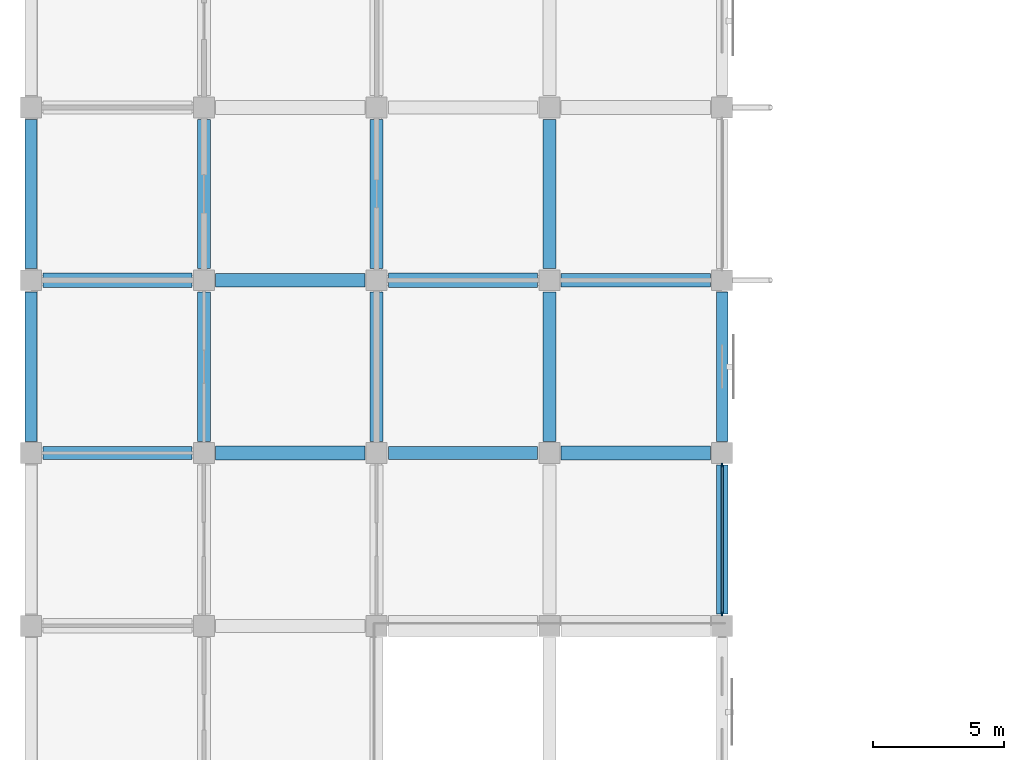
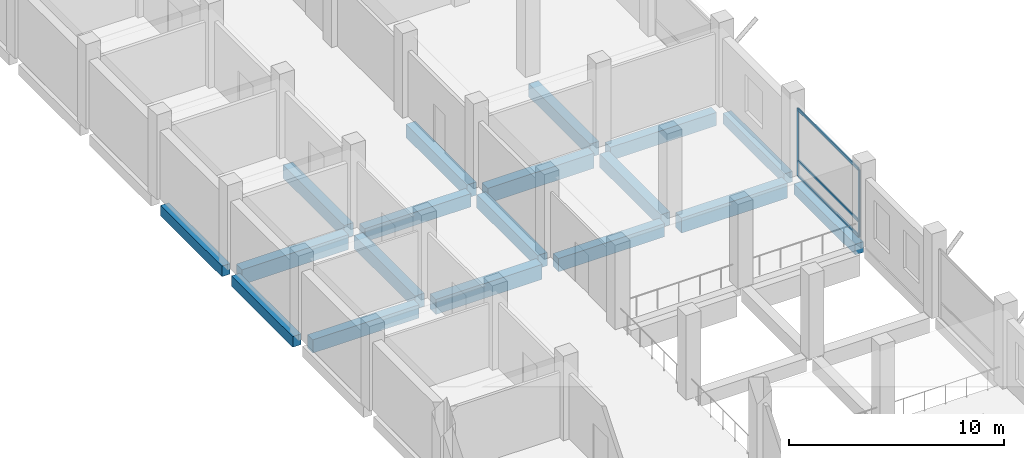
# One storey, part 11 of 34: 18 beams, 5 members, 1 element without a shape of its own.
"""IFC4 building model written with IfcOpenShell, lengths in metres."""

from ifc_helpers import new_model, si_unit, direction, frame, origin, origin_2d, place, context, subcontext, project, spatial, rectangle, extrude, material, material_profile, profile_set, type_object, element, aggregate, save


model = new_model("IFC4")

# Units and contexts
model_context = context("Model", 3, precision=1e-05, world=origin(), true_north=direction((0.0, 1.0)))
body_context = subcontext(model_context, "Body", "Model", "MODEL_VIEW")
ifc_project = project(units=[si_unit("LENGTHUNIT", "METRE"), si_unit("AREAUNIT", "SQUARE_METRE"), si_unit("VOLUMEUNIT", "CUBIC_METRE"), si_unit("PLANEANGLEUNIT", "RADIAN"), si_unit("MASSUNIT", "GRAM", prefix="KILO")], contexts=[model_context])

# Site, building, storey
site_placement = place(None, origin())
site = spatial("IfcSite", under=ifc_project, at=site_placement, CompositionType="ELEMENT")
building_placement = place(site_placement, origin())
building = spatial("IfcBuilding", under=site, at=building_placement, Name="Rusizi Kubbe Research Institute", CompositionType="ELEMENT")
storey_placement = place(building_placement, frame((0.0, 0.0, 5.39990234375)))
storey = spatial("IfcBuildingStorey", under=building, at=storey_placement, Name="L01", CompositionType="ELEMENT", Elevation=5.39990234375)

# Beams
ifc_material_1 = material(Name="Concrete C40/50", Category="concrete")
ifc_material_profile_1 = material_profile(ifc_material_1, rectangle(XDim=0.449951171875, YDim=0.60009765625, at=origin_2d()), Name="RC450x600")
ifc_profile_set_1 = profile_set([ifc_material_profile_1], Name="Concrete C40/50")
beam_type_1 = type_object("IfcBeamType", Name="BM-RC450x600", PredefinedType="SPANDREL", material=ifc_profile_set_1)
for number, where, z_axis, x_axis, name in (
    (1, (0.0, 99.449951171875, -0.64990234375), (0.0, 1.0, 0.0), (-1.0, 0.0, 0.0), "Grid Beam V L01 (0,15)"),
    (2, (0.0, 106.050048828125, -0.64990234375), (0.0, 1.0, 0.0), (-1.0, 0.0, 0.0), "Grid Beam V L01 (0,16)"),
    (3, (26.39990234375, 92.85009765625, -0.64990234375), (0.0, 1.0, 0.0), (-1.0, 0.0, 0.0), "Grid Beam V L01 (4,14)"),
    (4, (26.39990234375, 99.449951171875, -0.64990234375), (0.0, 1.0, 0.0), (-1.0, 0.0, 0.0), "Grid Beam V L01 (4,15)"),
):
    element("IfcBeam", number, at=place(storey_placement, frame(where, z_axis=z_axis, x_axis=x_axis)), inside=storey, type_object=beam_type_1, Name=name, PredefinedType="SPANDREL", context=body_context, shape_type="SweptSolid", body=[
        extrude(rectangle(XDim=0.449951171875, YDim=0.60009765625, at=origin_2d()), origin(), (0.0, 0.0, 1.0), 5.699951171875),
    ])
ifc_material_2 = material(Name="Concrete C45/55", Category="concrete")
ifc_material_profile_2 = material_profile(ifc_material_2, rectangle(XDim=0.5, YDim=0.75, at=origin_2d()), Name="RC500x750B")
ifc_profile_set_2 = profile_set([ifc_material_profile_2], Name="Concrete C45/55")
beam_type_2 = type_object("IfcBeamType", Name="BM-RC500x750", PredefinedType="BEAM", material=ifc_profile_set_2)
for number, where, z_axis, x_axis, name in (
    (5, (0.449951171875, 99.0, -0.724853515625), (1.0, 0.0, 0.0), (0.0, 1.0, 0.0), "Grid Beam H L01 (0,15)"),
    (6, (7.050048828125, 105.60009765625, -0.724853515625), (1.0, 0.0, 0.0), (0.0, 1.0, 0.0), "Grid Beam H L01 (1,16)"),
):
    element("IfcBeam", number, at=place(storey_placement, frame(where, z_axis=z_axis, x_axis=x_axis)), inside=storey, type_object=beam_type_2, Name=name, PredefinedType="BEAM", context=body_context, shape_type="SweptSolid", body=[
        extrude(rectangle(XDim=0.5, YDim=0.75, at=origin_2d()), origin(), (0.0, 0.0, 1.0), 5.699951171875),
    ])
beam_1_placement = place(storey_placement, frame((13.64990234375, 99.0, -0.724853515625), z_axis=(1.0, 0.0, 0.0), x_axis=(0.0, 1.0, 0.0)))
element("IfcBeam", 7, at=beam_1_placement, inside=storey, type_object=beam_type_2, Name="Grid Beam H L01 (2,15)", PredefinedType="BEAM", context=body_context, shape_type="SweptSolid", body=[
    extrude(rectangle(XDim=0.5, YDim=0.75, at=origin_2d()), origin(), (0.0, 0.0, 1.0), 5.7001953125),
])
for number, where, z_axis, x_axis, name in (
    (8, (20.25, 105.60009765625, -0.724853515625), (1.0, 0.0, 0.0), (0.0, 1.0, 0.0), "Grid Beam H L01 (3,16)"),
    (9, (6.60009765625, 99.449951171875, -0.724853515625), (0.0, 1.0, 0.0), (-1.0, 0.0, 0.0), "Grid Beam V L01 (1,15)"),
    (10, (6.60009765625, 106.050048828125, -0.724853515625), (0.0, 1.0, 0.0), (-1.0, 0.0, 0.0), "Grid Beam V L01 (1,16)"),
    (11, (13.199951171875, 99.449951171875, -0.724853515625), (0.0, 1.0, 0.0), (-1.0, 0.0, 0.0), "Grid Beam V L01 (2,15)"),
    (12, (13.199951171875, 106.050048828125, -0.724853515625), (0.0, 1.0, 0.0), (-1.0, 0.0, 0.0), "Grid Beam V L01 (2,16)"),
    (13, (19.800048828125, 99.449951171875, -0.724853515625), (0.0, 1.0, 0.0), (-1.0, 0.0, 0.0), "Grid Beam V L01 (3,15)"),
    (14, (19.800048828125, 106.050048828125, -0.724853515625), (0.0, 1.0, 0.0), (-1.0, 0.0, 0.0), "Grid Beam V L01 (3,16)"),
):
    element("IfcBeam", number, at=place(storey_placement, frame(where, z_axis=z_axis, x_axis=x_axis)), inside=storey, type_object=beam_type_2, Name=name, PredefinedType="BEAM", context=body_context, shape_type="SweptSolid", body=[
        extrude(rectangle(XDim=0.5, YDim=0.75, at=origin_2d()), origin(), (0.0, 0.0, 1.0), 5.699951171875),
    ])
ifc_material_3 = material(Name="Concrete C45/55", Category="concrete")
ifc_material_profile_3 = material_profile(ifc_material_3, rectangle(XDim=0.550048828125, YDim=0.85009765625, at=origin_2d()), Name="RC550x850")
ifc_profile_set_3 = profile_set([ifc_material_profile_3], Name="Concrete C45/55")
beam_type_3 = type_object("IfcBeamType", Name="BM-RC550x850", PredefinedType="BEAM", material=ifc_profile_set_3)
for number, where, z_axis, x_axis, name in (
    (15, (0.449951171875, 105.60009765625, -0.77490234375), (1.0, 0.0, 0.0), (0.0, 1.0, 0.0), "Grid Beam H L01 (0,16)"),
    (16, (7.050048828125, 99.0, -0.77490234375), (1.0, 0.0, 0.0), (0.0, 1.0, 0.0), "Grid Beam H L01 (1,15)"),
):
    element("IfcBeam", number, at=place(storey_placement, frame(where, z_axis=z_axis, x_axis=x_axis)), inside=storey, type_object=beam_type_3, Name=name, PredefinedType="BEAM", context=body_context, shape_type="SweptSolid", body=[
        extrude(rectangle(XDim=0.550048828125, YDim=0.85009765625, at=origin_2d()), origin(), (0.0, 0.0, 1.0), 5.699951171875),
    ])
beam_2_placement = place(storey_placement, frame((13.64990234375, 105.60009765625, -0.77490234375), z_axis=(1.0, 0.0, 0.0), x_axis=(0.0, 1.0, 0.0)))
element("IfcBeam", 17, at=beam_2_placement, inside=storey, type_object=beam_type_3, Name="Grid Beam H L01 (2,16)", PredefinedType="BEAM", context=body_context, shape_type="SweptSolid", body=[
    extrude(rectangle(XDim=0.550048828125, YDim=0.85009765625, at=origin_2d()), origin(), (0.0, 0.0, 1.0), 5.7001953125),
])
beam_3_placement = place(storey_placement, frame((20.25, 99.0, -0.77490234375), z_axis=(1.0, 0.0, 0.0), x_axis=(0.0, 1.0, 0.0)))
element("IfcBeam", 18, at=beam_3_placement, inside=storey, type_object=beam_type_3, Name="Grid Beam H L01 (3,15)", PredefinedType="BEAM", context=body_context, shape_type="SweptSolid", body=[
    extrude(rectangle(XDim=0.550048828125, YDim=0.85009765625, at=origin_2d()), origin(), (0.0, 0.0, 1.0), 5.699951171875),
])

# Curtain wall, members
ifc_material_4 = material(Name="Thermally Broken Aluminium and Low-E Glazing", Category="aluminium")
curtain_wall_type = type_object("IfcCurtainWallType", Name="CW-17", PredefinedType="NOTDEFINED", material=ifc_material_4)
curtain_wall_placement = place(storey_placement, origin())
curtain_wall = element("IfcCurtainWall", 19, at=curtain_wall_placement, inside=storey, type_object=curtain_wall_type, Name="Unitised Facade Curtain Wall CW-L01-V-04-14", PredefinedType="NOTDEFINED")
ifc_material_5 = material(Name="Aluminium Alloy 6063-T6", Category="aluminium")
ifc_material_profile_4 = material_profile(ifc_material_5, rectangle(XDim=0.06005859375, YDim=0.14990234375, at=origin_2d()), Name="ALU-M 60x150")
ifc_profile_set_4 = profile_set([ifc_material_profile_4], Name="Aluminium Alloy 6063-T6")
member_type_1 = type_object("IfcMemberType", Name="ML-01", PredefinedType="MULLION", material=ifc_profile_set_4)
member_1_placement = place(storey_placement, frame((26.39990234375, 92.860107421875, 0.0), z_axis=(0.0, 0.0, 1.0), x_axis=(-1.0, 0.0, 0.0)))
member_1 = element("IfcMember", 20, at=member_1_placement, type_object=member_type_1, Name="CW-17 mullion 1", PredefinedType="MULLION", context=body_context, shape_type="SweptSolid", body=[
    extrude(rectangle(XDim=0.06005859375, YDim=0.14990234375, at=origin_2d()), origin(), (0.0, 0.0, 1.0), 3.85009765625),
])
member_2_placement = place(storey_placement, frame((26.39990234375, 98.5400390625, 0.0), z_axis=(0.0, 0.0, 1.0), x_axis=(-1.0, 0.0, 0.0)))
member_2 = element("IfcMember", 21, at=member_2_placement, type_object=member_type_1, Name="CW-17 mullion 2", PredefinedType="MULLION", context=body_context, shape_type="SweptSolid", body=[
    extrude(rectangle(XDim=0.06005859375, YDim=0.14990234375, at=origin_2d()), origin(), (0.0, 0.0, 1.0), 3.85009765625),
])
ifc_material_6 = material(Name="Aluminium Alloy 6063-T6", Category="aluminium")
ifc_material_profile_5 = material_profile(ifc_material_6, rectangle(XDim=0.06494140625, YDim=0.159912109375, at=origin_2d()), Name="ALU-T 65x160")
ifc_profile_set_5 = profile_set([ifc_material_profile_5], Name="Aluminium Alloy 6063-T6")
member_type_2 = type_object("IfcMemberType", Name="TR-03", PredefinedType="USERDEFINED", material=ifc_profile_set_5)
member_3_placement = place(storey_placement, frame((26.39990234375, 92.889892578125, 0.03271484375), z_axis=(0.0, 1.0, 0.0), x_axis=(-1.0, 0.0, 0.0)))
member_3 = element("IfcMember", 22, at=member_3_placement, type_object=member_type_2, Name="CW-17 transom 1.1", ObjectType="TRANSOM", PredefinedType="USERDEFINED", context=body_context, shape_type="SweptSolid", body=[
    extrude(rectangle(XDim=0.06494140625, YDim=0.159912109375, at=origin_2d()), origin(), (0.0, 0.0, 1.0), 5.6201171875),
])
member_4_placement = place(storey_placement, frame((26.39990234375, 92.889892578125, 0.900146484375), z_axis=(0.0, 1.0, 0.0), x_axis=(-1.0, 0.0, 0.0)))
member_4 = element("IfcMember", 23, at=member_4_placement, type_object=member_type_2, Name="CW-17 transom 1.2", ObjectType="TRANSOM", PredefinedType="USERDEFINED", context=body_context, shape_type="SweptSolid", body=[
    extrude(rectangle(XDim=0.06494140625, YDim=0.159912109375, at=origin_2d()), origin(), (0.0, 0.0, 1.0), 5.6201171875),
])
member_5_placement = place(storey_placement, frame((26.39990234375, 92.889892578125, 3.817626953125), z_axis=(0.0, 1.0, 0.0), x_axis=(-1.0, 0.0, 0.0)))
member_5 = element("IfcMember", 24, at=member_5_placement, type_object=member_type_2, Name="CW-17 transom 1.3", ObjectType="TRANSOM", PredefinedType="USERDEFINED", context=body_context, shape_type="SweptSolid", body=[
    extrude(rectangle(XDim=0.06494140625, YDim=0.159912109375, at=origin_2d()), origin(), (0.0, 0.0, 1.0), 5.6201171875),
])
aggregate(curtain_wall, [member_1, member_2, member_3, member_4, member_5])

save(model, "model.ifc")
